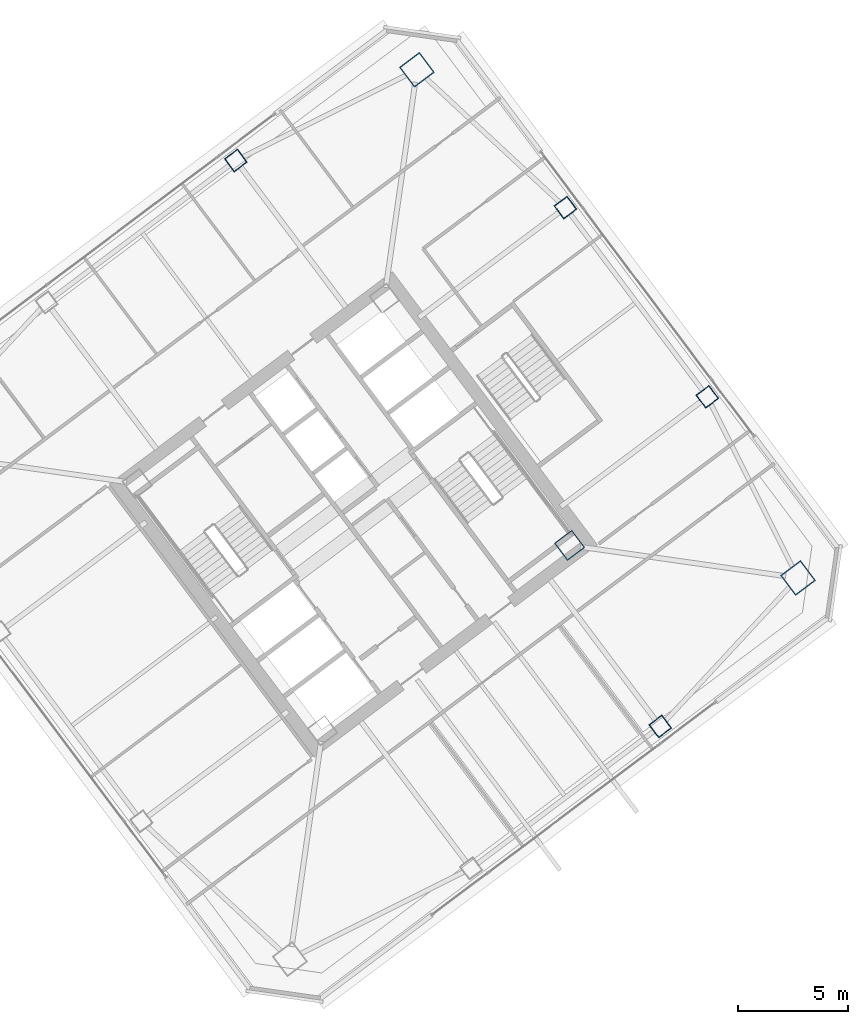
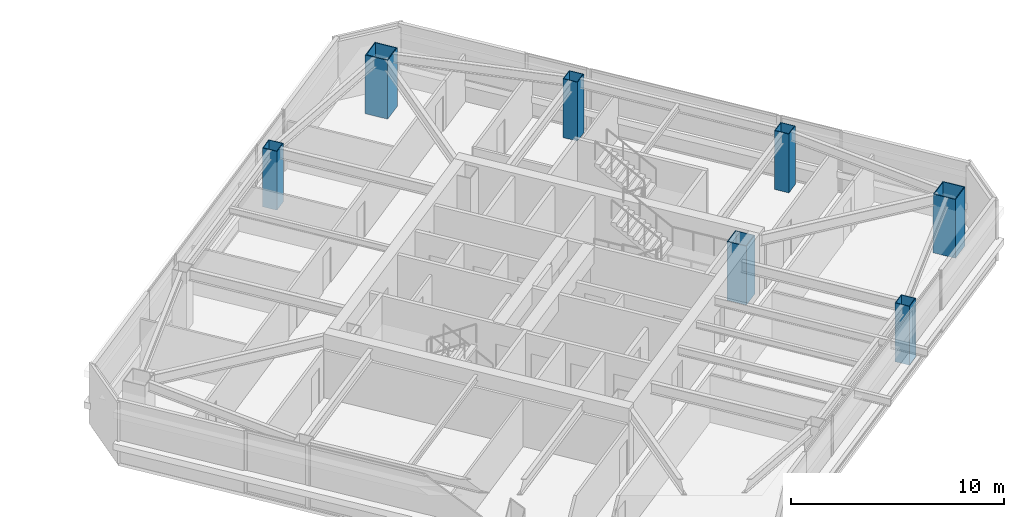
# One storey, part 2 of 42: 7 columns.
"""IFC4 building model written with IfcOpenShell, lengths in metres."""

from ifc_helpers import new_model, si_unit, direction, frame, origin, origin_2d, place, context, subcontext, project, spatial, hollow_rectangle, extrude, material, material_profile, profile_set, type_object, element, save


model = new_model("IFC4")

# Units and contexts
model_context = context("Model", 3, precision=1e-05, world=origin(), true_north=direction((0.0, 1.0)))
body_context = subcontext(model_context, "Body", "Model", "MODEL_VIEW")
ifc_project = project(units=[si_unit("LENGTHUNIT", "METRE"), si_unit("AREAUNIT", "SQUARE_METRE"), si_unit("VOLUMEUNIT", "CUBIC_METRE"), si_unit("PLANEANGLEUNIT", "RADIAN"), si_unit("MASSUNIT", "GRAM", prefix="KILO")], contexts=[model_context])

# Site, building, storey
site_placement = place(None, origin())
site = spatial("IfcSite", under=ifc_project, at=site_placement, CompositionType="ELEMENT")
building_placement = place(site_placement, origin())
building = spatial("IfcBuilding", under=site, at=building_placement, Name="Tashvorn Skyway Center", CompositionType="ELEMENT")
storey_placement = place(building_placement, frame((0.0, 0.0, 164.10009765625)))
storey = spatial("IfcBuildingStorey", under=building, at=storey_placement, Name="L44", CompositionType="ELEMENT", Elevation=164.10009765625)

# Columns
ifc_material = material(Name="Steel ASTM A572 Grade 50", Category="steel")
ifc_material_profile_1 = material_profile(ifc_material, hollow_rectangle(XDim=1.0, YDim=1.0, WallThickness=0.0400390625, at=origin_2d()), Name="BOX1000x1000x40")
ifc_profile_set_1 = profile_set([ifc_material_profile_1], Name="Steel ASTM A572 Grade 50")
column_type_1 = type_object("IfcColumnType", Name="COL-BOX1000x1000x40", PredefinedType="COLUMN", material=ifc_profile_set_1)
column_placement = place(storey_placement, frame((123.8701171875, 30.590087890625, 0.0), z_axis=(0.0, 0.0, 1.0), x_axis=(0.799999996291, 0.600000004945, 0.0)))
element("IfcColumn", 1, at=column_placement, inside=storey, type_object=column_type_1, Name="Tower 2 L44 Core Corner Column CC-SE", PredefinedType="COLUMN", context=body_context, shape_type="SweptSolid", body=[
    extrude(hollow_rectangle(XDim=1.0, YDim=1.0, WallThickness=0.0400390625, at=origin_2d()), origin(), (0.0, 0.0, 1.0), 3.369873046875),
])
ifc_material_profile_2 = material_profile(ifc_material, hollow_rectangle(XDim=1.14990234375, YDim=1.14990234375, WallThickness=0.044921875, at=origin_2d()), Name="BOX1150x1150x45")
ifc_profile_set_2 = profile_set([ifc_material_profile_2], Name="Steel ASTM A572 Grade 50")
column_type_2 = type_object("IfcColumnType", Name="COL-BOX1150x1150x45", PredefinedType="COLUMN", material=ifc_profile_set_2)
for number, where, z_axis, x_axis, name in (
    (2, (134.300048828125, 29.10009765625, 0.0), (0.0, 0.0, 1.0), (0.799999996291, 0.600000004945, 0.0), "Tower 2 L44 Mega-Column MC-SE"),
    (3, (116.89990234375, 52.300048828125, 0.0), (0.0, 0.0, 1.0), (0.799999996291, 0.600000004945, 0.0), "Tower 2 L44 Mega-Column MC-NE"),
):
    element("IfcColumn", number, at=place(storey_placement, frame(where, z_axis=z_axis, x_axis=x_axis)), inside=storey, type_object=column_type_2, Name=name, PredefinedType="COLUMN", context=body_context, shape_type="SweptSolid", body=[
        extrude(hollow_rectangle(XDim=1.14990234375, YDim=1.14990234375, WallThickness=0.044921875, at=origin_2d()), origin(), (0.0, 0.0, 1.0), 3.369873046875),
    ])
ifc_material_profile_3 = material_profile(ifc_material, hollow_rectangle(XDim=0.75, YDim=0.75, WallThickness=0.031982421875, at=origin_2d()), Name="BOX750x750x32")
ifc_profile_set_3 = profile_set([ifc_material_profile_3], Name="Steel ASTM A572 Grade 50")
column_type_3 = type_object("IfcColumnType", Name="COL-BOX750x750x32", PredefinedType="COLUMN", material=ifc_profile_set_3)
for number, where, z_axis, x_axis, name in (
    (4, (128.010009765625, 22.320068359375, 0.0), (0.0, 0.0, 1.0), (0.799999996291, 0.600000004945, 0.0), "Tower 2 L44 Perimeter Column FC-S2"),
    (5, (130.159912109375, 37.3701171875, 0.0), (0.0, 0.0, 1.0), (0.799999996291, 0.600000004945, 0.0), "Tower 2 L44 Perimeter Column FC-E1"),
    (6, (123.679931640625, 46.010009765625, 0.0), (0.0, 0.0, 1.0), (0.799999996291, 0.600000004945, 0.0), "Tower 2 L44 Perimeter Column FC-E2"),
    (7, (108.6298828125, 48.159912109375, 0.0), (0.0, 0.0, 1.0), (0.799999996291, 0.600000004945, 0.0), "Tower 2 L44 Perimeter Column FC-N1"),
):
    element("IfcColumn", number, at=place(storey_placement, frame(where, z_axis=z_axis, x_axis=x_axis)), inside=storey, type_object=column_type_3, Name=name, PredefinedType="COLUMN", context=body_context, shape_type="SweptSolid", body=[
        extrude(hollow_rectangle(XDim=0.75, YDim=0.75, WallThickness=0.031982421875, at=origin_2d()), origin(), (0.0, 0.0, 1.0), 3.369873046875),
    ])

save(model, "model.ifc")
